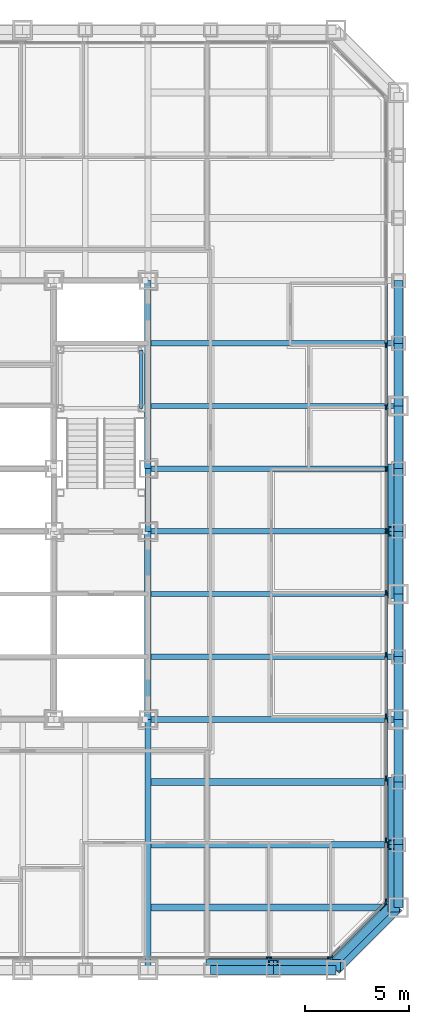
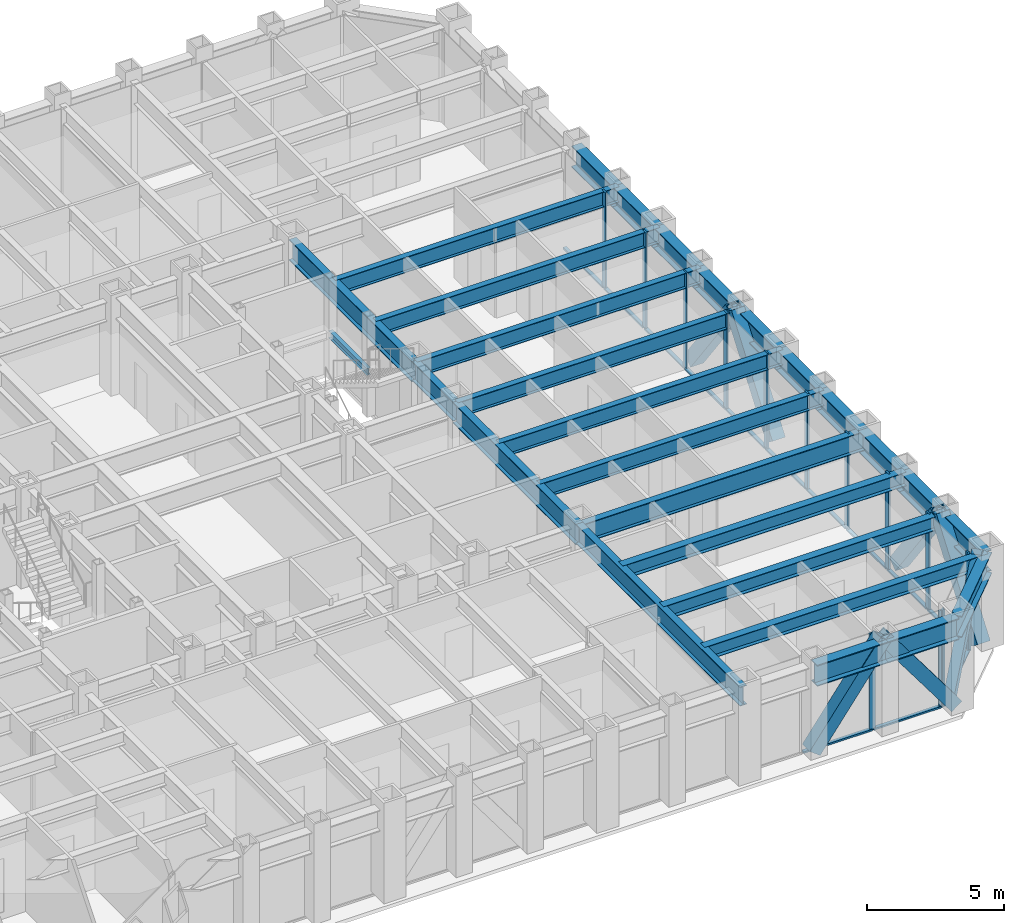
# One storey, part 4 of 16: 34 members, 28 beams, 3 elements without a shape of their own.
"""IFC4 building model written with IfcOpenShell, lengths in metres."""

import ifcopenshell
import ifcopenshell.guid

model = None  # the IFC model being written
_history = None  # IfcOwnerHistory: only IFC2X3 demands one
_inside = {}  # id of a spatial element -> (the spatial element, [elements in it])
_under = {}  # id of a project, library or spatial element -> (it, [spatial elements below it])
_declared = {}  # id of a project -> (the project, [libraries it declares])
_typed = {}  # id of a type object -> (the type object, [elements of that type])
_made_of = {}  # id of a material, layer set ... -> (it, [elements and type objects made of it])


def new_model(schema):
    """Start an empty IFC model of exactly this schema.

    Asked for "IFC4X3", IfcOpenShell would pick the latest addendum, in which some entities
    have other attributes; the version numbers below select the first issue.
    IFC2X3 requires an IfcOwnerHistory on every rooted entity: one is made here for all.
    """
    global model, _history
    if schema == "IFC4X3":
        model = ifcopenshell.file(schema_version=(4, 3, 0, 0))
    else:
        model = ifcopenshell.file(schema=schema)
    _inside.clear()
    _under.clear()
    _declared.clear()
    _typed.clear()
    _made_of.clear()
    _history = None
    if model.schema == "IFC2X3":
        org = make("IfcOrganization", Name="unknown")
        user = make(
            "IfcPersonAndOrganization",
            ThePerson=make("IfcPerson", FamilyName="unknown"),
            TheOrganization=org,
        )
        app = make(
            "IfcApplication",
            ApplicationDeveloper=org,
            Version="unknown",
            ApplicationFullName="unknown",
            ApplicationIdentifier="unknown",
        )
        _history = make(
            "IfcOwnerHistory",
            OwningUser=user,
            OwningApplication=app,
            ChangeAction="ADDED",
            CreationDate=0,
        )
    return model


def make(cls, **values):
    """One entity of the class cls with the attributes given. An attribute that is None is left unset."""
    return model.create_entity(
        cls, **{name: value for name, value in values.items() if value is not None}
    )


def rooted(cls, **values):
    """An entity with a GlobalId (a new one), such as an element, a storey or a relation."""
    return make(cls, GlobalId=ifcopenshell.guid.new(), OwnerHistory=_history, **values)


def si_unit(unit_type, name, prefix=None):
    """IfcSIUnit, for example si_unit("LENGTHUNIT", "METRE", prefix="MILLI")."""
    return make("IfcSIUnit", UnitType=unit_type, Prefix=prefix, Name=name)


def assignment(units):
    """IfcUnitAssignment: the units of a project."""
    return None if units is None else make("IfcUnitAssignment", Units=units)


def point(xyz):
    """IfcCartesianPoint."""
    return None if xyz is None else make("IfcCartesianPoint", Coordinates=xyz)


def direction(xyz):
    """IfcDirection."""
    return None if xyz is None else make("IfcDirection", DirectionRatios=xyz)


def frame(location, z_axis=None, x_axis=None):
    """IfcAxis2Placement3D, a coordinate frame: its origin and axes. An axis left out is left unset."""
    return make(
        "IfcAxis2Placement3D",
        Location=point(location),
        Axis=direction(z_axis),
        RefDirection=direction(x_axis),
    )


def frame_2d(location, x_axis=None):
    """IfcAxis2Placement2D, a coordinate frame in the plane: its origin and x axis."""
    return make(
        "IfcAxis2Placement2D", Location=point(location), RefDirection=direction(x_axis)
    )


def origin():
    """The frame at (0, 0, 0) with its axes left unset."""
    return frame((0.0, 0.0, 0.0))


def origin_2d():
    """The frame at (0, 0) in the plane with its x axis left unset."""
    return frame_2d((0.0, 0.0))


def place(relative_to, where):
    """IfcLocalPlacement: puts the frame where relative to a parent placement (None: the world)."""
    return make(
        "IfcLocalPlacement", PlacementRelTo=relative_to, RelativePlacement=where
    )


def context(
    kind, dimensions, precision=None, world=None, true_north=None, identifier=None
):
    """IfcGeometricRepresentationContext, for example the 3D "Model" context."""
    return make(
        "IfcGeometricRepresentationContext",
        ContextIdentifier=identifier,
        ContextType=kind,
        CoordinateSpaceDimension=dimensions,
        Precision=precision,
        WorldCoordinateSystem=world,
        TrueNorth=true_north,
    )


def subcontext(parent, identifier, kind, view, scale=None):
    """IfcGeometricRepresentationSubContext, for example "Body" below "Model"."""
    return make(
        "IfcGeometricRepresentationSubContext",
        ContextIdentifier=identifier,
        ContextType=kind,
        ParentContext=parent,
        TargetScale=scale,
        TargetView=view,
    )


def project(units=None, contexts=None):
    """IfcProject with its units and contexts."""
    return rooted(
        "IfcProject",
        Name="project",
        RepresentationContexts=contexts,
        UnitsInContext=assignment(units),
    )


def spatial(cls, under=None, at=None, **own):
    """A site, building, storey or space (cls), placed at a placement, below another one or the project."""
    s = rooted(cls, ObjectPlacement=at, **own)
    if under is not None:
        _under.setdefault(under.id(), (under, []))[1].append(s)
    return s


def profile(cls, at=None, kind="AREA", **sizes):
    """A parametric profile (cls). Its sizes go by their IFC names, for example OverallWidth=200.0."""
    return make(cls, ProfileType=kind, Position=at, **sizes)


def rectangle(**sizes):
    """IfcRectangleProfileDef."""
    return profile("IfcRectangleProfileDef", **sizes)


def hollow_rectangle(**sizes):
    """IfcRectangleHollowProfileDef."""
    return profile("IfcRectangleHollowProfileDef", **sizes)


def i_section(**sizes):
    """IfcIShapeProfileDef."""
    return profile("IfcIShapeProfileDef", **sizes)


def extrude(swept, where, along, depth):
    """IfcExtrudedAreaSolid: the profile swept, set in the frame where, extruded along a direction by depth."""
    return make(
        "IfcExtrudedAreaSolid",
        SweptArea=swept,
        Position=where,
        ExtrudedDirection=direction(along),
        Depth=depth,
    )


def shape(context_of_items, identifier, shape_type, items):
    """IfcShapeRepresentation: the items that make up one representation, for example the "Body"."""
    return make(
        "IfcShapeRepresentation",
        ContextOfItems=context_of_items,
        RepresentationIdentifier=identifier,
        RepresentationType=shape_type,
        Items=items,
    )


def material(Name=None, Category=None):
    """IfcMaterial."""
    return make("IfcMaterial", Name=Name, Category=Category)


def layer(
    of_material, thickness, ventilated=None, Name=None, Category=None, Priority=None
):
    """IfcMaterialLayer: one layer of a wall or slab, of a material (None: an air gap)."""
    return make(
        "IfcMaterialLayer",
        Material=of_material,
        LayerThickness=thickness,
        IsVentilated=ventilated,
        Name=Name,
        Category=Category,
        Priority=Priority,
    )


def layer_set(layers, Name=None):
    """IfcMaterialLayerSet."""
    return make("IfcMaterialLayerSet", MaterialLayers=layers, LayerSetName=Name)


def material_profile(
    of_material, cross_section, Name=None, Category=None, Priority=None
):
    """IfcMaterialProfile: a cross section and its material."""
    return make(
        "IfcMaterialProfile",
        Name=Name,
        Material=of_material,
        Profile=cross_section,
        Priority=Priority,
        Category=Category,
    )


def profile_set(profiles, Name=None, composite=None):
    """IfcMaterialProfileSet."""
    return make(
        "IfcMaterialProfileSet",
        Name=Name,
        MaterialProfiles=profiles,
        CompositeProfile=composite,
    )


def made_of(thing, what):
    """Note that an element or type object is made of a material, layer set ...; save() writes the relation."""
    if what is not None:
        _made_of.setdefault(what.id(), (what, []))[1].append(thing)
    return thing


def type_object(cls, material=None, **own):
    """A type object (cls), such as IfcWallType, which elements share."""
    return made_of(rooted(cls, **own), material)


def element(
    cls,
    number,
    at=None,
    inside=None,
    cuts=None,
    type_object=None,
    material=None,
    context=None,
    identifier="Body",
    shape_type=None,
    held_by="IfcProductDefinitionShape",
    body=None,
    shapes=None,
    **own,
):
    """One element of the class cls, such as IfcWall. Its Tag is "e" and its number.

    at: its placement. inside: the storey or other place that contains it. cuts: it is an
    opening in that element (IfcRelVoidsElement). A single representation is given by context,
    identifier, shape_type and body (its items); several are given by shapes. held_by: the class
    of the entity that holds the representations. save() writes the other relations.
    """
    e = rooted(cls, Tag="e%d" % number, ObjectPlacement=at, **own)
    if body is not None:
        shapes = [shape(context, identifier, shape_type, body)]
    if shapes is not None:
        e.Representation = make(held_by, Representations=shapes)
    if inside is not None:
        _inside.setdefault(inside.id(), (inside, []))[1].append(e)
    if cuts is not None:
        rooted(
            "IfcRelVoidsElement", RelatingBuildingElement=cuts, RelatedOpeningElement=e
        )
    if type_object is not None:
        _typed.setdefault(type_object.id(), (type_object, []))[1].append(e)
    return made_of(e, material)


def aggregate(whole, parts):
    """IfcRelAggregates: a whole, such as a stair, and the parts it consists of."""
    return rooted("IfcRelAggregates", RelatingObject=whole, RelatedObjects=parts)


def save(model, path):
    """Write the relations noted so far, then the file.

    IfcRelAggregates (storeys below a building ...), IfcRelContainedInSpatialStructure (elements
    in a storey), IfcRelDefinesByType, IfcRelAssociatesMaterial and IfcRelDeclares: one each for
    every whole, place, type object, material and project.
    """
    for whole, parts in _under.values():
        aggregate(whole, parts)
    for where, things in _inside.values():
        rooted(
            "IfcRelContainedInSpatialStructure",
            RelatedElements=things,
            RelatingStructure=where,
        )
    for kind, things in _typed.values():
        rooted("IfcRelDefinesByType", RelatedObjects=things, RelatingType=kind)
    for what, things in _made_of.values():
        rooted("IfcRelAssociatesMaterial", RelatedObjects=things, RelatingMaterial=what)
    for by, libraries in _declared.values():
        rooted("IfcRelDeclares", RelatingContext=by, RelatedDefinitions=libraries)
    model.write(path)


model = new_model("IFC4")

# Units and contexts
model_context = context("Model", 3, precision=1e-05, world=origin(), true_north=direction((0.0, 1.0)))
body_context = subcontext(model_context, "Body", "Model", "MODEL_VIEW")
ifc_project = project(units=[si_unit("LENGTHUNIT", "METRE"), si_unit("AREAUNIT", "SQUARE_METRE"), si_unit("VOLUMEUNIT", "CUBIC_METRE"), si_unit("PLANEANGLEUNIT", "RADIAN"), si_unit("MASSUNIT", "GRAM", prefix="KILO")], contexts=[model_context])

# Site, building, storey
site_placement = place(None, origin())
site = spatial("IfcSite", under=ifc_project, at=site_placement, CompositionType="ELEMENT")
building_placement = place(site_placement, origin())
building = spatial("IfcBuilding", under=site, at=building_placement, Name="Chuquiago Exchange Tower", CompositionType="ELEMENT")
storey_placement = place(building_placement, frame((0.0, 0.0, 82.800048828125)))
storey = spatial("IfcBuildingStorey", under=building, at=storey_placement, Name="L17", CompositionType="ELEMENT", Elevation=82.800048828125)

# Beams
ifc_material_1 = material(Name="Steel ASTM A992", Category="steel")
ifc_material_profile_1 = material_profile(ifc_material_1, i_section(OverallWidth=0.307373046875, OverallDepth=0.927001953125, WebThickness=0.01953125, FlangeThickness=0.031982421875, at=origin_2d()), Name="W36X194")
ifc_profile_set_1 = profile_set([ifc_material_profile_1], Name="Steel ASTM A992")
beam_type_1 = type_object("IfcBeamType", Name="B10 W36X194", PredefinedType="BEAM", material=ifc_profile_set_1)
for number, where, z_axis, x_axis, name in (
    (1, (33.0, 12.0, 3.576416015625), (0.0, 1.0, 0.0), (-1.0, 0.0, 0.0), "CB-L18-33_12-33_21"),
    (2, (33.0, 24.0, 3.576416015625), (0.0, 1.0, 0.0), (-1.0, 0.0, 0.0), "CB-L18-33_24-33_33"),
):
    element("IfcBeam", number, at=place(storey_placement, frame(where, z_axis=z_axis, x_axis=x_axis)), inside=storey, type_object=beam_type_1, Name=name, PredefinedType="BEAM", context=body_context, shape_type="SweptSolid", body=[
        extrude(i_section(OverallWidth=0.307373046875, OverallDepth=0.927001953125, WebThickness=0.01953125, FlangeThickness=0.031982421875, at=origin_2d()), origin(), (0.0, 0.0, 1.0), 9.0),
    ])
ifc_material_2 = material(Name="Steel ASTM A992", Category="steel")
ifc_material_profile_2 = material_profile(ifc_material_2, i_section(OverallWidth=0.2919921875, OverallDepth=0.8583984375, WebThickness=0.01708984375, FlangeThickness=0.031005859375, at=origin_2d()), Name="W33X169")
ifc_profile_set_2 = profile_set([ifc_material_profile_2], Name="Steel ASTM A992")
beam_type_2 = type_object("IfcBeamType", Name="B3 W33X169", PredefinedType="BEAM", material=ifc_profile_set_2)
beam_1_placement = place(storey_placement, frame((33.0, 21.0, 3.610595703125), z_axis=(0.0, 1.0, 0.0), x_axis=(-1.0, 0.0, 0.0)))
element("IfcBeam", 3, at=beam_1_placement, inside=storey, type_object=beam_type_2, Name="CB-L18-33_21-33_24", PredefinedType="BEAM", context=body_context, shape_type="SweptSolid", body=[
    extrude(i_section(OverallWidth=0.2919921875, OverallDepth=0.8583984375, WebThickness=0.01708984375, FlangeThickness=0.031005859375, at=origin_2d()), origin(), (0.0, 0.0, 1.0), 3.0),
])
ifc_material_3 = material(Name="Steel ASTM A992", Category="steel")
ifc_material_profile_3 = material_profile(ifc_material_3, i_section(OverallWidth=0.256591796875, OverallDepth=0.693359375, WebThickness=0.014404296875, FlangeThickness=0.023681640625, at=origin_2d()), Name="W27X114")
ifc_profile_set_3 = profile_set([ifc_material_profile_3], Name="Steel ASTM A992")
beam_type_3 = type_object("IfcBeamType", Name="B4 W27X114", PredefinedType="BEAM", material=ifc_profile_set_3)
for number, where, z_axis, x_axis, name in (
    (4, (33.0, 15.0, 3.693359375), (1.0, 0.0, 0.0), (0.0, 1.0, 0.0), "FB-L18-infill-33_15-45_15-0"),
    (5, (33.0, 18.0, 3.693359375), (1.0, 0.0, 0.0), (0.0, 1.0, 0.0), "FB-L18-infill-33_18-45_18-0"),
    (6, (33.0, 21.0, 3.693359375), (1.0, 0.0, 0.0), (0.0, 1.0, 0.0), "FB-L18-infill-33_21-45_21-0"),
    (7, (33.0, 24.0, 3.693359375), (1.0, 0.0, 0.0), (0.0, 1.0, 0.0), "FB-L18-infill-33_24-45_24-0"),
    (8, (33.0, 27.0, 3.693359375), (1.0, 0.0, 0.0), (0.0, 1.0, 0.0), "FB-L18-infill-33_27-45_27-0"),
    (9, (33.0, 30.0, 3.693359375), (1.0, 0.0, 0.0), (0.0, 1.0, 0.0), "FB-L18-infill-33_30-45_30-0"),
):
    element("IfcBeam", number, at=place(storey_placement, frame(where, z_axis=z_axis, x_axis=x_axis)), inside=storey, type_object=beam_type_3, Name=name, PredefinedType="BEAM", context=body_context, shape_type="SweptSolid", body=[
        extrude(i_section(OverallWidth=0.256591796875, OverallDepth=0.693359375, WebThickness=0.014404296875, FlangeThickness=0.023681640625, at=origin_2d()), origin(), (0.0, 0.0, 1.0), 12.0),
    ])
ifc_material_4 = material(Name="Steel ASTM A992", Category="steel")
ifc_material_profile_4 = material_profile(ifc_material_4, i_section(OverallWidth=0.3251953125, OverallDepth=0.6171875, WebThickness=0.013916015625, FlangeThickness=0.021484375, at=origin_2d()), Name="W24X117")
ifc_profile_set_4 = profile_set([ifc_material_profile_4], Name="Steel ASTM A992")
beam_type_4 = type_object("IfcBeamType", Name="B5 W24X117", PredefinedType="BEAM", material=ifc_profile_set_4)
for number, where, z_axis, x_axis, name in (
    (10, (33.0, 3.0, 3.7314453125), (1.0, 0.0, 0.0), (0.0, 1.0, 0.0), "FB-L18-corner-33_3-45_3-0"),
    (11, (33.0, 6.0, 3.7314453125), (1.0, 0.0, 0.0), (0.0, 1.0, 0.0), "FB-L18-corner-33_6-45_6-0"),
    (12, (33.0, 9.0, 3.7314453125), (1.0, 0.0, 0.0), (0.0, 1.0, 0.0), "FB-L18-corner-33_9-45_9-0"),
):
    element("IfcBeam", number, at=place(storey_placement, frame(where, z_axis=z_axis, x_axis=x_axis)), inside=storey, type_object=beam_type_4, Name=name, PredefinedType="BEAM", context=body_context, shape_type="SweptSolid", body=[
        extrude(i_section(OverallWidth=0.3251953125, OverallDepth=0.6171875, WebThickness=0.013916015625, FlangeThickness=0.021484375, at=origin_2d()), origin(), (0.0, 0.0, 1.0), 12.0),
    ])

# Curtain wall, members
ifc_material_5 = material(Name="Aluminium curtain wall system", Category="aluminium")
ifc_layer_1 = layer(ifc_material_5, 0.25)
ifc_layer_set_1 = layer_set([ifc_layer_1], Name="CW1 trading floor curtain wall")
curtain_wall_type_1 = type_object("IfcCurtainWallType", Name="CW1 trading floor curtain wall", PredefinedType="NOTDEFINED", material=ifc_layer_set_1)
curtain_wall_1_placement = place(storey_placement, origin())
curtain_wall_1 = element("IfcCurtainWall", 13, at=curtain_wall_1_placement, inside=storey, type_object=curtain_wall_type_1, Name="CW1 curtain wall L17", PredefinedType="NOTDEFINED")
ifc_material_6 = material(Name="Aluminium mullion, pale anodised", Category="aluminium")
ifc_material_profile_5 = material_profile(ifc_material_6, rectangle(XDim=0.074951171875, YDim=0.25, at=origin_2d()), Name="AL 75x250")
ifc_profile_set_5 = profile_set([ifc_material_profile_5], Name="Aluminium mullion, pale anodised")
member_type_1 = type_object("IfcMemberType", Name="CW1-M mullion 75x250", PredefinedType="MULLION", material=ifc_profile_set_5)
member_1_placement = place(storey_placement, frame((38.789794921875, 0.60009765625, -0.300048828125), z_axis=(0.0, 0.0, 1.0), x_axis=(0.0, 1.0, 0.0)))
member_1 = element("IfcMember", 14, at=member_1_placement, type_object=member_type_1, Name="CW1 mullion 13", PredefinedType="MULLION", context=body_context, shape_type="SweptSolid", body=[
    extrude(rectangle(XDim=0.074951171875, YDim=0.25, at=origin_2d()), origin(), (0.0, 0.0, 1.0), 4.340087890625),
])
member_2_placement = place(storey_placement, frame((41.714111328125, 0.60009765625, -0.300048828125), z_axis=(0.0, 0.0, 1.0), x_axis=(0.0, 1.0, 0.0)))
member_2 = element("IfcMember", 15, at=member_2_placement, type_object=member_type_1, Name="CW1 mullion 14", PredefinedType="MULLION", context=body_context, shape_type="SweptSolid", body=[
    extrude(rectangle(XDim=0.074951171875, YDim=0.25, at=origin_2d()), origin(), (0.0, 0.0, 1.0), 4.340087890625),
])

curtain_wall_2_placement = place(storey_placement, origin())
curtain_wall_2 = element("IfcCurtainWall", 16, at=curtain_wall_2_placement, inside=storey, type_object=curtain_wall_type_1, Name="CW1 curtain wall L17", PredefinedType="NOTDEFINED")
member_3_placement = place(storey_placement, frame((44.39990234375, 3.285888671875, -0.300048828125), z_axis=(0.0, 0.0, 1.0), x_axis=(-1.0, 0.0, 0.0)))
member_3 = element("IfcMember", 17, at=member_3_placement, type_object=member_type_1, Name="CW1 mullion 1", PredefinedType="MULLION", context=body_context, shape_type="SweptSolid", body=[
    extrude(rectangle(XDim=0.074951171875, YDim=0.25, at=origin_2d()), origin(), (0.0, 0.0, 1.0), 4.340087890625),
])
member_4_placement = place(storey_placement, frame((44.39990234375, 6.210205078125, -0.300048828125), z_axis=(0.0, 0.0, 1.0), x_axis=(-1.0, 0.0, 0.0)))
member_4 = element("IfcMember", 18, at=member_4_placement, type_object=member_type_1, Name="CW1 mullion 2", PredefinedType="MULLION", context=body_context, shape_type="SweptSolid", body=[
    extrude(rectangle(XDim=0.074951171875, YDim=0.25, at=origin_2d()), origin(), (0.0, 0.0, 1.0), 4.340087890625),
])
member_5_placement = place(storey_placement, frame((44.39990234375, 9.172119140625, -0.300048828125), z_axis=(0.0, 0.0, 1.0), x_axis=(-1.0, 0.0, 0.0)))
member_5 = element("IfcMember", 19, at=member_5_placement, type_object=member_type_1, Name="CW1 mullion 3", PredefinedType="MULLION", context=body_context, shape_type="SweptSolid", body=[
    extrude(rectangle(XDim=0.074951171875, YDim=0.25, at=origin_2d()), origin(), (0.0, 0.0, 1.0), 4.340087890625),
])
member_6_placement = place(storey_placement, frame((44.39990234375, 12.1337890625, -0.300048828125), z_axis=(0.0, 0.0, 1.0), x_axis=(-1.0, 0.0, 0.0)))
member_6 = element("IfcMember", 20, at=member_6_placement, type_object=member_type_1, Name="CW1 mullion 4", PredefinedType="MULLION", context=body_context, shape_type="SweptSolid", body=[
    extrude(rectangle(XDim=0.074951171875, YDim=0.25, at=origin_2d()), origin(), (0.0, 0.0, 1.0), 4.340087890625),
])
member_7_placement = place(storey_placement, frame((44.39990234375, 15.095458984375, -0.300048828125), z_axis=(0.0, 0.0, 1.0), x_axis=(-1.0, 0.0, 0.0)))
member_7 = element("IfcMember", 21, at=member_7_placement, type_object=member_type_1, Name="CW1 mullion 5", PredefinedType="MULLION", context=body_context, shape_type="SweptSolid", body=[
    extrude(rectangle(XDim=0.074951171875, YDim=0.25, at=origin_2d()), origin(), (0.0, 0.0, 1.0), 4.340087890625),
])
member_8_placement = place(storey_placement, frame((44.39990234375, 18.057373046875, -0.300048828125), z_axis=(0.0, 0.0, 1.0), x_axis=(-1.0, 0.0, 0.0)))
member_8 = element("IfcMember", 22, at=member_8_placement, type_object=member_type_1, Name="CW1 mullion 6", PredefinedType="MULLION", context=body_context, shape_type="SweptSolid", body=[
    extrude(rectangle(XDim=0.074951171875, YDim=0.25, at=origin_2d()), origin(), (0.0, 0.0, 1.0), 4.340087890625),
])
member_9_placement = place(storey_placement, frame((44.39990234375, 21.01904296875, -0.300048828125), z_axis=(0.0, 0.0, 1.0), x_axis=(-1.0, 0.0, 0.0)))
member_9 = element("IfcMember", 23, at=member_9_placement, type_object=member_type_1, Name="CW1 mullion 7", PredefinedType="MULLION", context=body_context, shape_type="SweptSolid", body=[
    extrude(rectangle(XDim=0.074951171875, YDim=0.25, at=origin_2d()), origin(), (0.0, 0.0, 1.0), 4.340087890625),
])
member_10_placement = place(storey_placement, frame((44.39990234375, 23.98095703125, -0.300048828125), z_axis=(0.0, 0.0, 1.0), x_axis=(-1.0, 0.0, 0.0)))
member_10 = element("IfcMember", 24, at=member_10_placement, type_object=member_type_1, Name="CW1 mullion 8", PredefinedType="MULLION", context=body_context, shape_type="SweptSolid", body=[
    extrude(rectangle(XDim=0.074951171875, YDim=0.25, at=origin_2d()), origin(), (0.0, 0.0, 1.0), 4.340087890625),
])
member_11_placement = place(storey_placement, frame((44.39990234375, 26.942626953125, -0.300048828125), z_axis=(0.0, 0.0, 1.0), x_axis=(-1.0, 0.0, 0.0)))
member_11 = element("IfcMember", 25, at=member_11_placement, type_object=member_type_1, Name="CW1 mullion 9", PredefinedType="MULLION", context=body_context, shape_type="SweptSolid", body=[
    extrude(rectangle(XDim=0.074951171875, YDim=0.25, at=origin_2d()), origin(), (0.0, 0.0, 1.0), 4.340087890625),
])
member_12_placement = place(storey_placement, frame((44.39990234375, 29.904541015625, -0.300048828125), z_axis=(0.0, 0.0, 1.0), x_axis=(-1.0, 0.0, 0.0)))
member_12 = element("IfcMember", 26, at=member_12_placement, type_object=member_type_1, Name="CW1 mullion 10", PredefinedType="MULLION", context=body_context, shape_type="SweptSolid", body=[
    extrude(rectangle(XDim=0.074951171875, YDim=0.25, at=origin_2d()), origin(), (0.0, 0.0, 1.0), 4.340087890625),
])

# Member
ifc_material_7 = material(Name="Aluminium transom, pale anodised", Category="aluminium")
ifc_material_profile_6 = material_profile(ifc_material_7, rectangle(XDim=0.14990234375, YDim=0.074951171875, at=origin_2d()), Name="AL 150x75")
ifc_profile_set_6 = profile_set([ifc_material_profile_6], Name="Aluminium transom, pale anodised")
member_type_2 = type_object("IfcMemberType", Name="CW1-T transom 75x150", PredefinedType="MULLION", material=ifc_profile_set_6)
member_13_placement = place(storey_placement, frame((35.865478515625, 0.60009765625, -0.262451171875), z_axis=(1.0, 0.0, 0.0), x_axis=(0.0, 1.0, 0.0)))
member_13 = element("IfcMember", 27, at=member_13_placement, type_object=member_type_2, Name="CW1 transom 12.1", PredefinedType="MULLION", context=body_context, shape_type="SweptSolid", body=[
    extrude(rectangle(XDim=0.14990234375, YDim=0.074951171875, at=origin_2d()), origin(), (0.0, 0.0, 1.0), 2.88671875),
])

member_14_placement = place(storey_placement, frame((38.8271484375, 0.60009765625, -0.262451171875), z_axis=(1.0, 0.0, 0.0), x_axis=(0.0, 1.0, 0.0)))
member_14 = element("IfcMember", 28, at=member_14_placement, type_object=member_type_2, Name="CW1 transom 13.1", PredefinedType="MULLION", context=body_context, shape_type="SweptSolid", body=[
    extrude(rectangle(XDim=0.14990234375, YDim=0.074951171875, at=origin_2d()), origin(), (0.0, 0.0, 1.0), 2.849365234375),
])

aggregate(curtain_wall_1, [member_1, member_2, member_13, member_14])

member_15_placement = place(storey_placement, frame((44.39990234375, 3.323486328125, -0.262451171875), z_axis=(0.0, 1.0, 0.0), x_axis=(-1.0, 0.0, 0.0)))
member_15 = element("IfcMember", 29, at=member_15_placement, type_object=member_type_2, Name="CW1 transom 1.1", PredefinedType="MULLION", context=body_context, shape_type="SweptSolid", body=[
    extrude(rectangle(XDim=0.14990234375, YDim=0.074951171875, at=origin_2d()), origin(), (0.0, 0.0, 1.0), 2.849365234375),
])

member_16_placement = place(storey_placement, frame((44.39990234375, 6.247802734375, -0.262451171875), z_axis=(0.0, 1.0, 0.0), x_axis=(-1.0, 0.0, 0.0)))
member_16 = element("IfcMember", 30, at=member_16_placement, type_object=member_type_2, Name="CW1 transom 2.1", PredefinedType="MULLION", context=body_context, shape_type="SweptSolid", body=[
    extrude(rectangle(XDim=0.14990234375, YDim=0.074951171875, at=origin_2d()), origin(), (0.0, 0.0, 1.0), 2.88671875),
])

member_17_placement = place(storey_placement, frame((44.39990234375, 9.20947265625, -0.262451171875), z_axis=(0.0, 1.0, 0.0), x_axis=(-1.0, 0.0, 0.0)))
member_17 = element("IfcMember", 31, at=member_17_placement, type_object=member_type_2, Name="CW1 transom 3.1", PredefinedType="MULLION", context=body_context, shape_type="SweptSolid", body=[
    extrude(rectangle(XDim=0.14990234375, YDim=0.074951171875, at=origin_2d()), origin(), (0.0, 0.0, 1.0), 2.88671875),
])

member_18_placement = place(storey_placement, frame((44.39990234375, 12.17138671875, -0.262451171875), z_axis=(0.0, 1.0, 0.0), x_axis=(-1.0, 0.0, 0.0)))
member_18 = element("IfcMember", 32, at=member_18_placement, type_object=member_type_2, Name="CW1 transom 4.1", PredefinedType="MULLION", context=body_context, shape_type="SweptSolid", body=[
    extrude(rectangle(XDim=0.14990234375, YDim=0.074951171875, at=origin_2d()), origin(), (0.0, 0.0, 1.0), 2.88671875),
])

member_19_placement = place(storey_placement, frame((44.39990234375, 15.133056640625, -0.262451171875), z_axis=(0.0, 1.0, 0.0), x_axis=(-1.0, 0.0, 0.0)))
member_19 = element("IfcMember", 33, at=member_19_placement, type_object=member_type_2, Name="CW1 transom 5.1", PredefinedType="MULLION", context=body_context, shape_type="SweptSolid", body=[
    extrude(rectangle(XDim=0.14990234375, YDim=0.074951171875, at=origin_2d()), origin(), (0.0, 0.0, 1.0), 2.88671875),
])

member_20_placement = place(storey_placement, frame((44.39990234375, 18.0947265625, -0.262451171875), z_axis=(0.0, 1.0, 0.0), x_axis=(-1.0, 0.0, 0.0)))
member_20 = element("IfcMember", 34, at=member_20_placement, type_object=member_type_2, Name="CW1 transom 6.1", PredefinedType="MULLION", context=body_context, shape_type="SweptSolid", body=[
    extrude(rectangle(XDim=0.14990234375, YDim=0.074951171875, at=origin_2d()), origin(), (0.0, 0.0, 1.0), 2.886962890625),
])

member_21_placement = place(storey_placement, frame((44.39990234375, 21.056640625, -0.262451171875), z_axis=(0.0, 1.0, 0.0), x_axis=(-1.0, 0.0, 0.0)))
member_21 = element("IfcMember", 35, at=member_21_placement, type_object=member_type_2, Name="CW1 transom 7.1", PredefinedType="MULLION", context=body_context, shape_type="SweptSolid", body=[
    extrude(rectangle(XDim=0.14990234375, YDim=0.074951171875, at=origin_2d()), origin(), (0.0, 0.0, 1.0), 2.88671875),
])

member_22_placement = place(storey_placement, frame((44.39990234375, 24.018310546875, -0.262451171875), z_axis=(0.0, 1.0, 0.0), x_axis=(-1.0, 0.0, 0.0)))
member_22 = element("IfcMember", 36, at=member_22_placement, type_object=member_type_2, Name="CW1 transom 8.1", PredefinedType="MULLION", context=body_context, shape_type="SweptSolid", body=[
    extrude(rectangle(XDim=0.14990234375, YDim=0.074951171875, at=origin_2d()), origin(), (0.0, 0.0, 1.0), 2.886962890625),
])

member_23_placement = place(storey_placement, frame((44.39990234375, 26.980224609375, -0.262451171875), z_axis=(0.0, 1.0, 0.0), x_axis=(-1.0, 0.0, 0.0)))
member_23 = element("IfcMember", 37, at=member_23_placement, type_object=member_type_2, Name="CW1 transom 9.1", PredefinedType="MULLION", context=body_context, shape_type="SweptSolid", body=[
    extrude(rectangle(XDim=0.14990234375, YDim=0.074951171875, at=origin_2d()), origin(), (0.0, 0.0, 1.0), 2.88671875),
])

member_24_placement = place(storey_placement, frame((44.39990234375, 29.94189453125, -0.262451171875), z_axis=(0.0, 1.0, 0.0), x_axis=(-1.0, 0.0, 0.0)))
member_24 = element("IfcMember", 38, at=member_24_placement, type_object=member_type_2, Name="CW1 transom 10.1", PredefinedType="MULLION", context=body_context, shape_type="SweptSolid", body=[
    extrude(rectangle(XDim=0.14990234375, YDim=0.074951171875, at=origin_2d()), origin(), (0.0, 0.0, 1.0), 2.88671875),
])

aggregate(curtain_wall_2, [member_3, member_4, member_5, member_6, member_7, member_8, member_9, member_10, member_11, member_12, member_15, member_16, member_17, member_18, member_19, member_20, member_21, member_22, member_23, member_24])

# Curtain wall, members
ifc_material_8 = material(Name="Aluminium curtain wall system", Category="aluminium")
ifc_layer_2 = layer(ifc_material_8, 0.199951171875)
ifc_layer_set_2 = layer_set([ifc_layer_2], Name="CW3 facet curtain wall")
curtain_wall_type_2 = type_object("IfcCurtainWallType", Name="CW3 facet curtain wall", PredefinedType="NOTDEFINED", material=ifc_layer_set_2)
curtain_wall_3_placement = place(storey_placement, origin())
curtain_wall_3 = element("IfcCurtainWall", 39, at=curtain_wall_3_placement, inside=storey, type_object=curtain_wall_type_2, Name="CW3 curtain wall L17", PredefinedType="NOTDEFINED")
ifc_material_9 = material(Name="Aluminium mullion, pale anodised", Category="aluminium")
ifc_material_profile_7 = material_profile(ifc_material_9, rectangle(XDim=0.06494140625, YDim=0.199951171875, at=origin_2d()), Name="AL 65x200")
ifc_profile_set_7 = profile_set([ifc_material_profile_7], Name="Aluminium mullion, pale anodised")
member_type_3 = type_object("IfcMemberType", Name="CW3-M mullion 65x200", PredefinedType="MULLION", material=ifc_profile_set_7)
member_25_placement = place(storey_placement, frame((41.7744140625, 0.623046875, -0.300048828125), z_axis=(0.0, 0.0, 1.0), x_axis=(-0.707106781187, 0.707106781187, 0.0)))
member_25 = element("IfcMember", 40, at=member_25_placement, type_object=member_type_3, Name="CW3 mullion 1", PredefinedType="MULLION", context=body_context, shape_type="SweptSolid", body=[
    extrude(rectangle(XDim=0.06494140625, YDim=0.199951171875, at=origin_2d()), origin(), (0.0, 0.0, 1.0), 4.340087890625),
])
member_26_placement = place(storey_placement, frame((44.376953125, 3.2255859375, -0.300048828125), z_axis=(0.0, 0.0, 1.0), x_axis=(-0.707106781187, 0.707106781187, 0.0)))
member_26 = element("IfcMember", 41, at=member_26_placement, type_object=member_type_3, Name="CW3 mullion 2", PredefinedType="MULLION", context=body_context, shape_type="SweptSolid", body=[
    extrude(rectangle(XDim=0.06494140625, YDim=0.199951171875, at=origin_2d()), origin(), (0.0, 0.0, 1.0), 4.340087890625),
])
ifc_material_10 = material(Name="Aluminium transom, pale anodised", Category="aluminium")
ifc_material_profile_8 = material_profile(ifc_material_10, rectangle(XDim=0.139892578125, YDim=0.06494140625, at=origin_2d()), Name="AL 140x65")
ifc_profile_set_8 = profile_set([ifc_material_profile_8], Name="Aluminium transom, pale anodised")
member_type_4 = type_object("IfcMemberType", Name="CW3-T transom 65x140", PredefinedType="MULLION", material=ifc_profile_set_8)
member_27_placement = place(storey_placement, frame((41.79736328125, 0.64599609375, -0.267578125), z_axis=(0.707106781187, 0.707106781187, 0.0), x_axis=(-0.707106781187, 0.707106781187, 0.0)))
member_27 = element("IfcMember", 42, at=member_27_placement, type_object=member_type_4, Name="CW3 transom 1.1", PredefinedType="MULLION", context=body_context, shape_type="SweptSolid", body=[
    extrude(rectangle(XDim=0.139892578125, YDim=0.06494140625, at=origin_2d()), origin(), (0.0, 0.0, 1.0), 3.61572265625),
])
aggregate(curtain_wall_3, [member_25, member_26, member_27])

# Beams
ifc_material_11 = material(Name="Steel ASTM A992", Category="steel")
ifc_material_profile_9 = material_profile(ifc_material_11, i_section(OverallWidth=0.2919921875, OverallDepth=0.8583984375, WebThickness=0.01708984375, FlangeThickness=0.031005859375, at=origin_2d()), Name="W33X169")
ifc_profile_set_9 = profile_set([ifc_material_profile_9], Name="Steel ASTM A992")
beam_type_5 = type_object("IfcBeamType", Name="G2 W33X169", PredefinedType="BEAM", material=ifc_profile_set_9)
for number, where, z_axis, x_axis, name in (
    (43, (33.0, 12.0, 3.610595703125), (0.0, -1.0, 0.0), (1.0, 0.0, 0.0), "FB-L18-girder-33_12-33_-0-0"),
    (44, (33.0, 12.0, 3.610595703125), (1.0, 0.0, 0.0), (0.0, 1.0, 0.0), "FB-L18-girder-33_12-45_12-0"),
):
    element("IfcBeam", number, at=place(storey_placement, frame(where, z_axis=z_axis, x_axis=x_axis)), inside=storey, type_object=beam_type_5, Name=name, PredefinedType="BEAM", context=body_context, shape_type="SweptSolid", body=[
        extrude(i_section(OverallWidth=0.2919921875, OverallDepth=0.8583984375, WebThickness=0.01708984375, FlangeThickness=0.031005859375, at=origin_2d()), origin(), (0.0, 0.0, 1.0), 12.0),
    ])

# Member
ifc_material_12 = material(Name="Steel ASTM A500 Grade C", Category="steel")
ifc_material_profile_10 = material_profile(ifc_material_12, hollow_rectangle(XDim=0.406494140625, YDim=0.406494140625, WallThickness=0.0146484375, at=origin_2d()), Name="HSS16X16X5/8")
ifc_profile_set_10 = profile_set([ifc_material_profile_10], Name="Steel ASTM A500 Grade C")
member_type_5 = type_object("IfcMemberType", Name="LB4 HSS16X16X5/8", PredefinedType="BRACE", material=ifc_profile_set_10)
member_28_placement = place(storey_placement, frame((41.78662109375, 0.21337890625, 0.0), z_axis=(0.512077265487, 0.512077265487, 0.689604051861), x_axis=(-0.707106781187, 0.707106781187, 0.0)))
element("IfcMember", 45, at=member_28_placement, inside=storey, type_object=member_type_5, Name="LB-L17-42_0-45_3", PredefinedType="BRACE", context=body_context, shape_type="SweptSolid", body=[
    extrude(hollow_rectangle(XDim=0.406494140625, YDim=0.406494140625, WallThickness=0.0146484375, at=origin_2d()), origin(), (0.0, 0.0, 1.0), 5.8583984375),
])

# Beam
ifc_material_13 = material(Name="Steel ASTM A992", Category="steel")
ifc_material_profile_11 = material_profile(ifc_material_13, i_section(OverallWidth=0.164794921875, OverallDepth=0.309814453125, WebThickness=0.005859375, FlangeThickness=0.009765625, at=origin_2d()), Name="W12X26")
ifc_profile_set_11 = profile_set([ifc_material_profile_11], Name="Steel ASTM A992")
beam_type_6 = type_object("IfcBeamType", Name="LS1 W12X26", PredefinedType="BEAM", material=ifc_profile_set_11)
beam_2_placement = place(storey_placement, frame((32.68994140625, 26.889892578125, 1.89501953125), z_axis=(0.0, 1.0, 0.0), x_axis=(-1.0, 0.0, 0.0)))
element("IfcBeam", 46, at=beam_2_placement, inside=storey, type_object=beam_type_6, Name="Stair ST2 L17 landing 1 stringer", PredefinedType="BEAM", context=body_context, shape_type="SweptSolid", body=[
    extrude(i_section(OverallWidth=0.164794921875, OverallDepth=0.309814453125, WebThickness=0.005859375, FlangeThickness=0.009765625, at=origin_2d()), origin(), (0.0, 0.0, 1.0), 2.800048828125),
])

# Members
ifc_material_14 = material(Name="Steel ASTM A572 Grade 50", Category="steel")
ifc_material_profile_12 = material_profile(ifc_material_14, hollow_rectangle(XDim=0.550048828125, YDim=0.550048828125, WallThickness=0.044921875, at=origin_2d()), Name="BOX550X550X45")
ifc_profile_set_12 = profile_set([ifc_material_profile_12], Name="Steel ASTM A572 Grade 50")
member_type_6 = type_object("IfcMemberType", Name="MB1 BOX550X550X45", PredefinedType="BRACE", material=ifc_profile_set_12)
for number, where, z_axis, x_axis, name in (
    (47, (36.0, 0.22998046875, 0.0), (0.596173923302, 0.0, 0.802855312728), (0.0, 1.0, 0.0), "Mega diagonal L17 S face"),
    (48, (42.0, 0.22998046875, 0.0), (-0.596173923302, 0.0, 0.802855312728), (0.0, -1.0, 0.0), "Mega diagonal L17 S face"),
    (49, (44.77001953125, 3.0, 0.0), (0.0, 0.596173923302, 0.802855312728), (-1.0, 0.0, 0.0), "Mega diagonal L17 E face"),
    (50, (44.77001953125, 9.0, 0.0), (0.0, -0.596173923302, 0.802855312728), (1.0, 0.0, 0.0), "Mega diagonal L17 E face"),
    (51, (44.77001953125, 18.0, 0.0), (0.0, 0.596173923302, 0.802855312728), (-1.0, 0.0, 0.0), "Mega diagonal L17 E face"),
    (52, (44.77001953125, 24.0, 0.0), (0.0, -0.596173923302, 0.802855312728), (1.0, 0.0, 0.0), "Mega diagonal L17 E face"),
):
    element("IfcMember", number, at=place(storey_placement, frame(where, z_axis=z_axis, x_axis=x_axis)), inside=storey, type_object=member_type_6, Name=name, PredefinedType="BRACE", context=body_context, shape_type="SweptSolid", body=[
        extrude(hollow_rectangle(XDim=0.550048828125, YDim=0.550048828125, WallThickness=0.044921875, at=origin_2d()), origin(), (0.0, 0.0, 1.0), 5.031982421875),
    ])

# Beams
ifc_material_15 = material(Name="Steel ASTM A992", Category="steel")
ifc_material_profile_13 = material_profile(ifc_material_15, i_section(OverallWidth=0.424072265625, OverallDepth=0.947509765625, WebThickness=0.02392578125, FlangeThickness=0.042724609375, at=origin_2d()), Name="W36X302")
ifc_profile_set_13 = profile_set([ifc_material_profile_13], Name="Steel ASTM A992")
beam_type_7 = type_object("IfcBeamType", Name="SP1 W36X302", PredefinedType="SPANDREL", material=ifc_profile_set_13)
for number, where, z_axis, x_axis, name in (
    (53, (36.0, 0.0, 3.566162109375), (1.0, 0.0, 0.0), (0.0, 1.0, 0.0), "SPB-L18-36_0-39_0"),
    (54, (39.0, 0.0, 3.566162109375), (1.0, 0.0, 0.0), (0.0, 1.0, 0.0), "SPB-L18-39_0-42_0"),
):
    element("IfcBeam", number, at=place(storey_placement, frame(where, z_axis=z_axis, x_axis=x_axis)), inside=storey, type_object=beam_type_7, Name=name, PredefinedType="SPANDREL", context=body_context, shape_type="SweptSolid", body=[
        extrude(i_section(OverallWidth=0.424072265625, OverallDepth=0.947509765625, WebThickness=0.02392578125, FlangeThickness=0.042724609375, at=origin_2d()), origin(), (0.0, 0.0, 1.0), 3.0),
    ])
beam_3_placement = place(storey_placement, frame((42.0, 0.0, 3.566162109375), z_axis=(0.707106781187, 0.707106781187, 0.0), x_axis=(-0.707106781187, 0.707106781187, 0.0)))
element("IfcBeam", 55, at=beam_3_placement, inside=storey, type_object=beam_type_7, Name="SPB-L18-42_0-45_3", PredefinedType="SPANDREL", context=body_context, shape_type="SweptSolid", body=[
    extrude(i_section(OverallWidth=0.424072265625, OverallDepth=0.947509765625, WebThickness=0.02392578125, FlangeThickness=0.042724609375, at=origin_2d()), origin(), (0.0, 0.0, 1.0), 4.24267578125),
])
for number, where, z_axis, x_axis, name in (
    (56, (45.0, 3.0, 3.566162109375), (0.0, 1.0, 0.0), (-1.0, 0.0, 0.0), "SPB-L18-45_3-45_6"),
    (57, (45.0, 6.0, 3.566162109375), (0.0, 1.0, 0.0), (-1.0, 0.0, 0.0), "SPB-L18-45_6-45_9"),
    (58, (45.0, 9.0, 3.566162109375), (0.0, 1.0, 0.0), (-1.0, 0.0, 0.0), "SPB-L18-45_9-45_12"),
    (59, (45.0, 12.0, 3.566162109375), (0.0, 1.0, 0.0), (-1.0, 0.0, 0.0), "SPB-L18-45_12-45_15"),
    (60, (45.0, 15.0, 3.566162109375), (0.0, 1.0, 0.0), (-1.0, 0.0, 0.0), "SPB-L18-45_15-45_18"),
    (61, (45.0, 18.0, 3.566162109375), (0.0, 1.0, 0.0), (-1.0, 0.0, 0.0), "SPB-L18-45_18-45_21"),
    (62, (45.0, 21.0, 3.566162109375), (0.0, 1.0, 0.0), (-1.0, 0.0, 0.0), "SPB-L18-45_21-45_24"),
    (63, (45.0, 24.0, 3.566162109375), (0.0, 1.0, 0.0), (-1.0, 0.0, 0.0), "SPB-L18-45_24-45_27"),
    (64, (45.0, 27.0, 3.566162109375), (0.0, 1.0, 0.0), (-1.0, 0.0, 0.0), "SPB-L18-45_27-45_30"),
    (65, (45.0, 30.0, 3.566162109375), (0.0, 1.0, 0.0), (-1.0, 0.0, 0.0), "SPB-L18-45_30-45_33"),
):
    element("IfcBeam", number, at=place(storey_placement, frame(where, z_axis=z_axis, x_axis=x_axis)), inside=storey, type_object=beam_type_7, Name=name, PredefinedType="SPANDREL", context=body_context, shape_type="SweptSolid", body=[
        extrude(i_section(OverallWidth=0.424072265625, OverallDepth=0.947509765625, WebThickness=0.02392578125, FlangeThickness=0.042724609375, at=origin_2d()), origin(), (0.0, 0.0, 1.0), 3.0),
    ])

save(model, "model.ifc")
